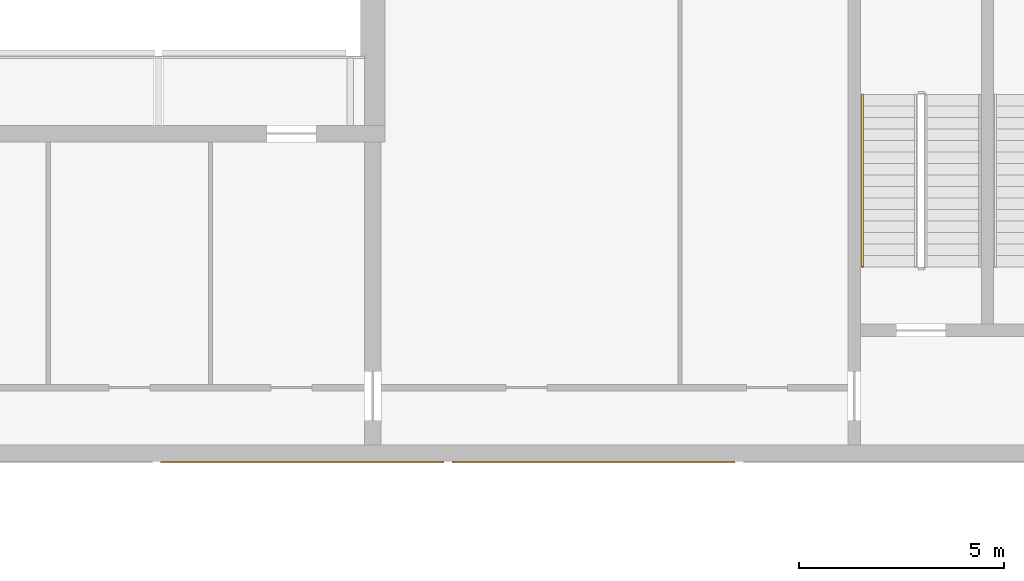
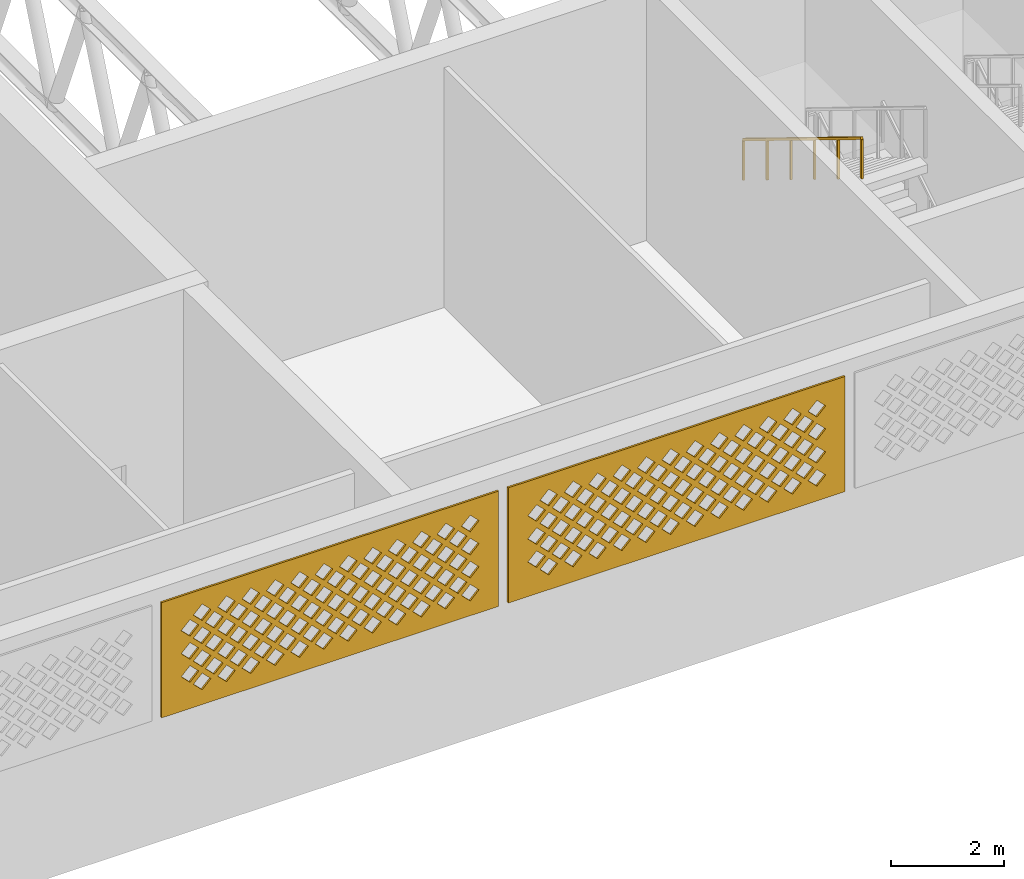
# One storey, part 26 of 69: 2 coverings, 1 railing.
"""IFC4 building model written with IfcOpenShell, lengths in metres."""

from ifc_helpers import new_model, si_unit, direction, frame, origin, origin_2d, place, context, subcontext, project, spatial, polyline, rectangle, outline, extrude, material, layer, layer_set, type_object, element, save


model = new_model("IFC4")

# Units and contexts
model_context = context("Model", 3, precision=1e-05, world=origin(), true_north=direction((0.0, 1.0)))
body_context = subcontext(model_context, "Body", "Model", "MODEL_VIEW")
ifc_project = project(units=[si_unit("LENGTHUNIT", "METRE"), si_unit("AREAUNIT", "SQUARE_METRE"), si_unit("VOLUMEUNIT", "CUBIC_METRE"), si_unit("PLANEANGLEUNIT", "RADIAN"), si_unit("MASSUNIT", "GRAM", prefix="KILO")], contexts=[model_context])

# Site, building, storey
site_placement = place(None, origin())
site = spatial("IfcSite", under=ifc_project, at=site_placement, CompositionType="ELEMENT")
building_placement = place(site_placement, origin())
building = spatial("IfcBuilding", under=site, at=building_placement, Name="Noorbagh Ring Tower", CompositionType="ELEMENT")
storey_placement = place(building_placement, frame((0.0, 0.0, 19.5)))
storey = spatial("IfcBuildingStorey", under=building, at=storey_placement, Name="L03", CompositionType="ELEMENT", Elevation=19.5)

# Coverings
ifc_material_1 = material(Name="Red sandstone jali", Category="masonry")
ifc_layer = layer(ifc_material_1, 0.0400390625)
ifc_layer_set = layer_set([ifc_layer], Name="Red sandstone jali")
covering_type = type_object("IfcCoveringType", Name="STH-BAND", PredefinedType="USERDEFINED", material=ifc_layer_set)
covering_1_placement = place(storey_placement, frame((-145.177734375, -21.0400390625, 2.699951171875), z_axis=(0.0, -1.0, 0.0), x_axis=(1.0, 0.0, 0.0)))
element("IfcCovering", 1, at=covering_1_placement, inside=storey, type_object=covering_type, Name="Jali band", ObjectType="JALI SCREEN", PredefinedType="USERDEFINED", context=body_context, shape_type="SweptSolid", body=[
    extrude(outline(polyline([(0.0, 0.0), (6.9111328125, 0.0), (6.9111328125, 2.5), (0.0, 2.5), (0.0, 0.0)]), holes=[polyline([(0.650634765625, 0.5), (0.83056640625, 0.320068359375), (1.010498046875, 0.5), (0.83056640625, 0.679931640625), (0.650634765625, 0.5)]), polyline([(1.150634765625, 0.5), (1.33056640625, 0.320068359375), (1.510498046875, 0.5), (1.33056640625, 0.679931640625), (1.150634765625, 0.5)]), polyline([(1.650634765625, 0.5), (1.83056640625, 0.320068359375), (2.010498046875, 0.5), (1.83056640625, 0.679931640625), (1.650634765625, 0.5)]), polyline([(2.150634765625, 0.5), (2.33056640625, 0.320068359375), (2.510498046875, 0.5), (2.33056640625, 0.679931640625), (2.150634765625, 0.5)]), polyline([(2.650634765625, 0.5), (2.83056640625, 0.320068359375), (3.010498046875, 0.5), (2.83056640625, 0.679931640625), (2.650634765625, 0.5)]), polyline([(3.150634765625, 0.5), (3.33056640625, 0.320068359375), (3.510498046875, 0.5), (3.33056640625, 0.679931640625), (3.150634765625, 0.5)]), polyline([(3.650634765625, 0.5), (3.83056640625, 0.320068359375), (4.010498046875, 0.5), (3.83056640625, 0.679931640625), (3.650634765625, 0.5)]), polyline([(4.150634765625, 0.5), (4.33056640625, 0.320068359375), (4.510498046875, 0.5), (4.33056640625, 0.679931640625), (4.150634765625, 0.5)]), polyline([(4.650634765625, 0.5), (4.83056640625, 0.320068359375), (5.010498046875, 0.5), (4.83056640625, 0.679931640625), (4.650634765625, 0.5)]), polyline([(5.150634765625, 0.5), (5.33056640625, 0.320068359375), (5.510498046875, 0.5), (5.33056640625, 0.679931640625), (5.150634765625, 0.5)]), polyline([(5.650634765625, 0.5), (5.83056640625, 0.320068359375), (6.010498046875, 0.5), (5.83056640625, 0.679931640625), (5.650634765625, 0.5)]), polyline([(6.150634765625, 0.5), (6.33056640625, 0.320068359375), (6.510498046875, 0.5), (6.33056640625, 0.679931640625), (6.150634765625, 0.5)]), polyline([(0.400634765625, 0.75), (0.58056640625, 0.570068359375), (0.760498046875, 0.75), (0.58056640625, 0.929931640625), (0.400634765625, 0.75)]), polyline([(0.900634765625, 0.75), (1.08056640625, 0.570068359375), (1.260498046875, 0.75), (1.08056640625, 0.929931640625), (0.900634765625, 0.75)]), polyline([(1.400634765625, 0.75), (1.58056640625, 0.570068359375), (1.760498046875, 0.75), (1.58056640625, 0.929931640625), (1.400634765625, 0.75)]), polyline([(1.900634765625, 0.75), (2.08056640625, 0.570068359375), (2.260498046875, 0.75), (2.08056640625, 0.929931640625), (1.900634765625, 0.75)]), polyline([(2.400634765625, 0.75), (2.58056640625, 0.570068359375), (2.760498046875, 0.75), (2.58056640625, 0.929931640625), (2.400634765625, 0.75)]), polyline([(2.900634765625, 0.75), (3.08056640625, 0.570068359375), (3.260498046875, 0.75), (3.08056640625, 0.929931640625), (2.900634765625, 0.75)]), polyline([(3.400634765625, 0.75), (3.58056640625, 0.570068359375), (3.760498046875, 0.75), (3.58056640625, 0.929931640625), (3.400634765625, 0.75)]), polyline([(3.900634765625, 0.75), (4.08056640625, 0.570068359375), (4.260498046875, 0.75), (4.08056640625, 0.929931640625), (3.900634765625, 0.75)]), polyline([(4.400634765625, 0.75), (4.58056640625, 0.570068359375), (4.760498046875, 0.75), (4.58056640625, 0.929931640625), (4.400634765625, 0.75)]), polyline([(4.900634765625, 0.75), (5.08056640625, 0.570068359375), (5.260498046875, 0.75), (5.08056640625, 0.929931640625), (4.900634765625, 0.75)]), polyline([(5.400634765625, 0.75), (5.58056640625, 0.570068359375), (5.760498046875, 0.75), (5.58056640625, 0.929931640625), (5.400634765625, 0.75)]), polyline([(5.900634765625, 0.75), (6.08056640625, 0.570068359375), (6.260498046875, 0.75), (6.08056640625, 0.929931640625), (5.900634765625, 0.75)]), polyline([(0.650634765625, 1.0), (0.83056640625, 0.820068359375), (1.010498046875, 1.0), (0.83056640625, 1.179931640625), (0.650634765625, 1.0)]), polyline([(1.150634765625, 1.0), (1.33056640625, 0.820068359375), (1.510498046875, 1.0), (1.33056640625, 1.179931640625), (1.150634765625, 1.0)]), polyline([(1.650634765625, 1.0), (1.83056640625, 0.820068359375), (2.010498046875, 1.0), (1.83056640625, 1.179931640625), (1.650634765625, 1.0)]), polyline([(2.150634765625, 1.0), (2.33056640625, 0.820068359375), (2.510498046875, 1.0), (2.33056640625, 1.179931640625), (2.150634765625, 1.0)]), polyline([(2.650634765625, 1.0), (2.83056640625, 0.820068359375), (3.010498046875, 1.0), (2.83056640625, 1.179931640625), (2.650634765625, 1.0)]), polyline([(3.150634765625, 1.0), (3.33056640625, 0.820068359375), (3.510498046875, 1.0), (3.33056640625, 1.179931640625), (3.150634765625, 1.0)]), polyline([(3.650634765625, 1.0), (3.83056640625, 0.820068359375), (4.010498046875, 1.0), (3.83056640625, 1.179931640625), (3.650634765625, 1.0)]), polyline([(4.150634765625, 1.0), (4.33056640625, 0.820068359375), (4.510498046875, 1.0), (4.33056640625, 1.179931640625), (4.150634765625, 1.0)]), polyline([(4.650634765625, 1.0), (4.83056640625, 0.820068359375), (5.010498046875, 1.0), (4.83056640625, 1.179931640625), (4.650634765625, 1.0)]), polyline([(5.150634765625, 1.0), (5.33056640625, 0.820068359375), (5.510498046875, 1.0), (5.33056640625, 1.179931640625), (5.150634765625, 1.0)]), polyline([(5.650634765625, 1.0), (5.83056640625, 0.820068359375), (6.010498046875, 1.0), (5.83056640625, 1.179931640625), (5.650634765625, 1.0)]), polyline([(6.150634765625, 1.0), (6.33056640625, 0.820068359375), (6.510498046875, 1.0), (6.33056640625, 1.179931640625), (6.150634765625, 1.0)]), polyline([(0.400634765625, 1.25), (0.58056640625, 1.070068359375), (0.760498046875, 1.25), (0.58056640625, 1.429931640625), (0.400634765625, 1.25)]), polyline([(0.900634765625, 1.25), (1.08056640625, 1.070068359375), (1.260498046875, 1.25), (1.08056640625, 1.429931640625), (0.900634765625, 1.25)]), polyline([(1.400634765625, 1.25), (1.58056640625, 1.070068359375), (1.760498046875, 1.25), (1.58056640625, 1.429931640625), (1.400634765625, 1.25)]), polyline([(1.900634765625, 1.25), (2.08056640625, 1.070068359375), (2.260498046875, 1.25), (2.08056640625, 1.429931640625), (1.900634765625, 1.25)]), polyline([(2.400634765625, 1.25), (2.58056640625, 1.070068359375), (2.760498046875, 1.25), (2.58056640625, 1.429931640625), (2.400634765625, 1.25)]), polyline([(2.900634765625, 1.25), (3.08056640625, 1.070068359375), (3.260498046875, 1.25), (3.08056640625, 1.429931640625), (2.900634765625, 1.25)]), polyline([(3.400634765625, 1.25), (3.58056640625, 1.070068359375), (3.760498046875, 1.25), (3.58056640625, 1.429931640625), (3.400634765625, 1.25)]), polyline([(3.900634765625, 1.25), (4.08056640625, 1.070068359375), (4.260498046875, 1.25), (4.08056640625, 1.429931640625), (3.900634765625, 1.25)]), polyline([(4.400634765625, 1.25), (4.58056640625, 1.070068359375), (4.760498046875, 1.25), (4.58056640625, 1.429931640625), (4.400634765625, 1.25)]), polyline([(4.900634765625, 1.25), (5.08056640625, 1.070068359375), (5.260498046875, 1.25), (5.08056640625, 1.429931640625), (4.900634765625, 1.25)]), polyline([(5.400634765625, 1.25), (5.58056640625, 1.070068359375), (5.760498046875, 1.25), (5.58056640625, 1.429931640625), (5.400634765625, 1.25)]), polyline([(5.900634765625, 1.25), (6.08056640625, 1.070068359375), (6.260498046875, 1.25), (6.08056640625, 1.429931640625), (5.900634765625, 1.25)]), polyline([(0.650634765625, 1.5), (0.83056640625, 1.320068359375), (1.010498046875, 1.5), (0.83056640625, 1.679931640625), (0.650634765625, 1.5)]), polyline([(1.150634765625, 1.5), (1.33056640625, 1.320068359375), (1.510498046875, 1.5), (1.33056640625, 1.679931640625), (1.150634765625, 1.5)]), polyline([(1.650634765625, 1.5), (1.83056640625, 1.320068359375), (2.010498046875, 1.5), (1.83056640625, 1.679931640625), (1.650634765625, 1.5)]), polyline([(2.150634765625, 1.5), (2.33056640625, 1.320068359375), (2.510498046875, 1.5), (2.33056640625, 1.679931640625), (2.150634765625, 1.5)]), polyline([(2.650634765625, 1.5), (2.83056640625, 1.320068359375), (3.010498046875, 1.5), (2.83056640625, 1.679931640625), (2.650634765625, 1.5)]), polyline([(3.150634765625, 1.5), (3.33056640625, 1.320068359375), (3.510498046875, 1.5), (3.33056640625, 1.679931640625), (3.150634765625, 1.5)]), polyline([(3.650634765625, 1.5), (3.83056640625, 1.320068359375), (4.010498046875, 1.5), (3.83056640625, 1.679931640625), (3.650634765625, 1.5)]), polyline([(4.150634765625, 1.5), (4.33056640625, 1.320068359375), (4.510498046875, 1.5), (4.33056640625, 1.679931640625), (4.150634765625, 1.5)]), polyline([(4.650634765625, 1.5), (4.83056640625, 1.320068359375), (5.010498046875, 1.5), (4.83056640625, 1.679931640625), (4.650634765625, 1.5)]), polyline([(5.150634765625, 1.5), (5.33056640625, 1.320068359375), (5.510498046875, 1.5), (5.33056640625, 1.679931640625), (5.150634765625, 1.5)]), polyline([(5.650634765625, 1.5), (5.83056640625, 1.320068359375), (6.010498046875, 1.5), (5.83056640625, 1.679931640625), (5.650634765625, 1.5)]), polyline([(6.150634765625, 1.5), (6.33056640625, 1.320068359375), (6.510498046875, 1.5), (6.33056640625, 1.679931640625), (6.150634765625, 1.5)]), polyline([(0.400634765625, 1.75), (0.58056640625, 1.570068359375), (0.760498046875, 1.75), (0.58056640625, 1.929931640625), (0.400634765625, 1.75)]), polyline([(0.900634765625, 1.75), (1.08056640625, 1.570068359375), (1.260498046875, 1.75), (1.08056640625, 1.929931640625), (0.900634765625, 1.75)]), polyline([(1.400634765625, 1.75), (1.58056640625, 1.570068359375), (1.760498046875, 1.75), (1.58056640625, 1.929931640625), (1.400634765625, 1.75)]), polyline([(1.900634765625, 1.75), (2.08056640625, 1.570068359375), (2.260498046875, 1.75), (2.08056640625, 1.929931640625), (1.900634765625, 1.75)]), polyline([(2.400634765625, 1.75), (2.58056640625, 1.570068359375), (2.760498046875, 1.75), (2.58056640625, 1.929931640625), (2.400634765625, 1.75)]), polyline([(2.900634765625, 1.75), (3.08056640625, 1.570068359375), (3.260498046875, 1.75), (3.08056640625, 1.929931640625), (2.900634765625, 1.75)]), polyline([(3.400634765625, 1.75), (3.58056640625, 1.570068359375), (3.760498046875, 1.75), (3.58056640625, 1.929931640625), (3.400634765625, 1.75)]), polyline([(3.900634765625, 1.75), (4.08056640625, 1.570068359375), (4.260498046875, 1.75), (4.08056640625, 1.929931640625), (3.900634765625, 1.75)]), polyline([(4.400634765625, 1.75), (4.58056640625, 1.570068359375), (4.760498046875, 1.75), (4.58056640625, 1.929931640625), (4.400634765625, 1.75)]), polyline([(4.900634765625, 1.75), (5.08056640625, 1.570068359375), (5.260498046875, 1.75), (5.08056640625, 1.929931640625), (4.900634765625, 1.75)]), polyline([(5.400634765625, 1.75), (5.58056640625, 1.570068359375), (5.760498046875, 1.75), (5.58056640625, 1.929931640625), (5.400634765625, 1.75)]), polyline([(5.900634765625, 1.75), (6.08056640625, 1.570068359375), (6.260498046875, 1.75), (6.08056640625, 1.929931640625), (5.900634765625, 1.75)]), polyline([(0.650634765625, 2.0), (0.83056640625, 1.820068359375), (1.010498046875, 2.0), (0.83056640625, 2.179931640625), (0.650634765625, 2.0)]), polyline([(1.150634765625, 2.0), (1.33056640625, 1.820068359375), (1.510498046875, 2.0), (1.33056640625, 2.179931640625), (1.150634765625, 2.0)]), polyline([(1.650634765625, 2.0), (1.83056640625, 1.820068359375), (2.010498046875, 2.0), (1.83056640625, 2.179931640625), (1.650634765625, 2.0)]), polyline([(2.150634765625, 2.0), (2.33056640625, 1.820068359375), (2.510498046875, 2.0), (2.33056640625, 2.179931640625), (2.150634765625, 2.0)]), polyline([(2.650634765625, 2.0), (2.83056640625, 1.820068359375), (3.010498046875, 2.0), (2.83056640625, 2.179931640625), (2.650634765625, 2.0)]), polyline([(3.150634765625, 2.0), (3.33056640625, 1.820068359375), (3.510498046875, 2.0), (3.33056640625, 2.179931640625), (3.150634765625, 2.0)]), polyline([(3.650634765625, 2.0), (3.83056640625, 1.820068359375), (4.010498046875, 2.0), (3.83056640625, 2.179931640625), (3.650634765625, 2.0)]), polyline([(4.150634765625, 2.0), (4.33056640625, 1.820068359375), (4.510498046875, 2.0), (4.33056640625, 2.179931640625), (4.150634765625, 2.0)]), polyline([(4.650634765625, 2.0), (4.83056640625, 1.820068359375), (5.010498046875, 2.0), (4.83056640625, 2.179931640625), (4.650634765625, 2.0)]), polyline([(5.150634765625, 2.0), (5.33056640625, 1.820068359375), (5.510498046875, 2.0), (5.33056640625, 2.179931640625), (5.150634765625, 2.0)]), polyline([(5.650634765625, 2.0), (5.83056640625, 1.820068359375), (6.010498046875, 2.0), (5.83056640625, 2.179931640625), (5.650634765625, 2.0)]), polyline([(6.150634765625, 2.0), (6.33056640625, 1.820068359375), (6.510498046875, 2.0), (6.33056640625, 2.179931640625), (6.150634765625, 2.0)])]), origin(), (0.0, 0.0, -1.0), 0.0400390625),
])
covering_2_placement = place(storey_placement, frame((-138.066650390625, -21.0400390625, 2.699951171875), z_axis=(0.0, -1.0, 0.0), x_axis=(1.0, 0.0, 0.0)))
element("IfcCovering", 2, at=covering_2_placement, inside=storey, type_object=covering_type, Name="Jali band", ObjectType="JALI SCREEN", PredefinedType="USERDEFINED", context=body_context, shape_type="SweptSolid", body=[
    extrude(outline(polyline([(0.0, 0.0), (6.9111328125, 0.0), (6.9111328125, 2.5), (0.0, 2.5), (0.0, 0.0)]), holes=[polyline([(0.650634765625, 0.5), (0.83056640625, 0.320068359375), (1.010498046875, 0.5), (0.83056640625, 0.679931640625), (0.650634765625, 0.5)]), polyline([(1.150634765625, 0.5), (1.33056640625, 0.320068359375), (1.510498046875, 0.5), (1.33056640625, 0.679931640625), (1.150634765625, 0.5)]), polyline([(1.650634765625, 0.5), (1.83056640625, 0.320068359375), (2.010498046875, 0.5), (1.83056640625, 0.679931640625), (1.650634765625, 0.5)]), polyline([(2.150634765625, 0.5), (2.33056640625, 0.320068359375), (2.510498046875, 0.5), (2.33056640625, 0.679931640625), (2.150634765625, 0.5)]), polyline([(2.650634765625, 0.5), (2.83056640625, 0.320068359375), (3.010498046875, 0.5), (2.83056640625, 0.679931640625), (2.650634765625, 0.5)]), polyline([(3.150634765625, 0.5), (3.33056640625, 0.320068359375), (3.510498046875, 0.5), (3.33056640625, 0.679931640625), (3.150634765625, 0.5)]), polyline([(3.650634765625, 0.5), (3.83056640625, 0.320068359375), (4.010498046875, 0.5), (3.83056640625, 0.679931640625), (3.650634765625, 0.5)]), polyline([(4.150634765625, 0.5), (4.33056640625, 0.320068359375), (4.510498046875, 0.5), (4.33056640625, 0.679931640625), (4.150634765625, 0.5)]), polyline([(4.650634765625, 0.5), (4.83056640625, 0.320068359375), (5.010498046875, 0.5), (4.83056640625, 0.679931640625), (4.650634765625, 0.5)]), polyline([(5.150634765625, 0.5), (5.33056640625, 0.320068359375), (5.510498046875, 0.5), (5.33056640625, 0.679931640625), (5.150634765625, 0.5)]), polyline([(5.650634765625, 0.5), (5.83056640625, 0.320068359375), (6.010498046875, 0.5), (5.83056640625, 0.679931640625), (5.650634765625, 0.5)]), polyline([(6.150634765625, 0.5), (6.33056640625, 0.320068359375), (6.510498046875, 0.5), (6.33056640625, 0.679931640625), (6.150634765625, 0.5)]), polyline([(0.400634765625, 0.75), (0.58056640625, 0.570068359375), (0.760498046875, 0.75), (0.58056640625, 0.929931640625), (0.400634765625, 0.75)]), polyline([(0.900634765625, 0.75), (1.08056640625, 0.570068359375), (1.260498046875, 0.75), (1.08056640625, 0.929931640625), (0.900634765625, 0.75)]), polyline([(1.400634765625, 0.75), (1.58056640625, 0.570068359375), (1.760498046875, 0.75), (1.58056640625, 0.929931640625), (1.400634765625, 0.75)]), polyline([(1.900634765625, 0.75), (2.08056640625, 0.570068359375), (2.260498046875, 0.75), (2.08056640625, 0.929931640625), (1.900634765625, 0.75)]), polyline([(2.400634765625, 0.75), (2.58056640625, 0.570068359375), (2.760498046875, 0.75), (2.58056640625, 0.929931640625), (2.400634765625, 0.75)]), polyline([(2.900634765625, 0.75), (3.08056640625, 0.570068359375), (3.260498046875, 0.75), (3.08056640625, 0.929931640625), (2.900634765625, 0.75)]), polyline([(3.400634765625, 0.75), (3.58056640625, 0.570068359375), (3.760498046875, 0.75), (3.58056640625, 0.929931640625), (3.400634765625, 0.75)]), polyline([(3.900634765625, 0.75), (4.08056640625, 0.570068359375), (4.260498046875, 0.75), (4.08056640625, 0.929931640625), (3.900634765625, 0.75)]), polyline([(4.400634765625, 0.75), (4.58056640625, 0.570068359375), (4.760498046875, 0.75), (4.58056640625, 0.929931640625), (4.400634765625, 0.75)]), polyline([(4.900634765625, 0.75), (5.08056640625, 0.570068359375), (5.260498046875, 0.75), (5.08056640625, 0.929931640625), (4.900634765625, 0.75)]), polyline([(5.400634765625, 0.75), (5.58056640625, 0.570068359375), (5.760498046875, 0.75), (5.58056640625, 0.929931640625), (5.400634765625, 0.75)]), polyline([(5.900634765625, 0.75), (6.08056640625, 0.570068359375), (6.260498046875, 0.75), (6.08056640625, 0.929931640625), (5.900634765625, 0.75)]), polyline([(0.650634765625, 1.0), (0.83056640625, 0.820068359375), (1.010498046875, 1.0), (0.83056640625, 1.179931640625), (0.650634765625, 1.0)]), polyline([(1.150634765625, 1.0), (1.33056640625, 0.820068359375), (1.510498046875, 1.0), (1.33056640625, 1.179931640625), (1.150634765625, 1.0)]), polyline([(1.650634765625, 1.0), (1.83056640625, 0.820068359375), (2.010498046875, 1.0), (1.83056640625, 1.179931640625), (1.650634765625, 1.0)]), polyline([(2.150634765625, 1.0), (2.33056640625, 0.820068359375), (2.510498046875, 1.0), (2.33056640625, 1.179931640625), (2.150634765625, 1.0)]), polyline([(2.650634765625, 1.0), (2.83056640625, 0.820068359375), (3.010498046875, 1.0), (2.83056640625, 1.179931640625), (2.650634765625, 1.0)]), polyline([(3.150634765625, 1.0), (3.33056640625, 0.820068359375), (3.510498046875, 1.0), (3.33056640625, 1.179931640625), (3.150634765625, 1.0)]), polyline([(3.650634765625, 1.0), (3.83056640625, 0.820068359375), (4.010498046875, 1.0), (3.83056640625, 1.179931640625), (3.650634765625, 1.0)]), polyline([(4.150634765625, 1.0), (4.33056640625, 0.820068359375), (4.510498046875, 1.0), (4.33056640625, 1.179931640625), (4.150634765625, 1.0)]), polyline([(4.650634765625, 1.0), (4.83056640625, 0.820068359375), (5.010498046875, 1.0), (4.83056640625, 1.179931640625), (4.650634765625, 1.0)]), polyline([(5.150634765625, 1.0), (5.33056640625, 0.820068359375), (5.510498046875, 1.0), (5.33056640625, 1.179931640625), (5.150634765625, 1.0)]), polyline([(5.650634765625, 1.0), (5.83056640625, 0.820068359375), (6.010498046875, 1.0), (5.83056640625, 1.179931640625), (5.650634765625, 1.0)]), polyline([(6.150634765625, 1.0), (6.33056640625, 0.820068359375), (6.510498046875, 1.0), (6.33056640625, 1.179931640625), (6.150634765625, 1.0)]), polyline([(0.400634765625, 1.25), (0.58056640625, 1.070068359375), (0.760498046875, 1.25), (0.58056640625, 1.429931640625), (0.400634765625, 1.25)]), polyline([(0.900634765625, 1.25), (1.08056640625, 1.070068359375), (1.260498046875, 1.25), (1.08056640625, 1.429931640625), (0.900634765625, 1.25)]), polyline([(1.400634765625, 1.25), (1.58056640625, 1.070068359375), (1.760498046875, 1.25), (1.58056640625, 1.429931640625), (1.400634765625, 1.25)]), polyline([(1.900634765625, 1.25), (2.08056640625, 1.070068359375), (2.260498046875, 1.25), (2.08056640625, 1.429931640625), (1.900634765625, 1.25)]), polyline([(2.400634765625, 1.25), (2.58056640625, 1.070068359375), (2.760498046875, 1.25), (2.58056640625, 1.429931640625), (2.400634765625, 1.25)]), polyline([(2.900634765625, 1.25), (3.08056640625, 1.070068359375), (3.260498046875, 1.25), (3.08056640625, 1.429931640625), (2.900634765625, 1.25)]), polyline([(3.400634765625, 1.25), (3.58056640625, 1.070068359375), (3.760498046875, 1.25), (3.58056640625, 1.429931640625), (3.400634765625, 1.25)]), polyline([(3.900634765625, 1.25), (4.08056640625, 1.070068359375), (4.260498046875, 1.25), (4.08056640625, 1.429931640625), (3.900634765625, 1.25)]), polyline([(4.400634765625, 1.25), (4.58056640625, 1.070068359375), (4.760498046875, 1.25), (4.58056640625, 1.429931640625), (4.400634765625, 1.25)]), polyline([(4.900634765625, 1.25), (5.08056640625, 1.070068359375), (5.260498046875, 1.25), (5.08056640625, 1.429931640625), (4.900634765625, 1.25)]), polyline([(5.400634765625, 1.25), (5.58056640625, 1.070068359375), (5.760498046875, 1.25), (5.58056640625, 1.429931640625), (5.400634765625, 1.25)]), polyline([(5.900634765625, 1.25), (6.08056640625, 1.070068359375), (6.260498046875, 1.25), (6.08056640625, 1.429931640625), (5.900634765625, 1.25)]), polyline([(0.650634765625, 1.5), (0.83056640625, 1.320068359375), (1.010498046875, 1.5), (0.83056640625, 1.679931640625), (0.650634765625, 1.5)]), polyline([(1.150634765625, 1.5), (1.33056640625, 1.320068359375), (1.510498046875, 1.5), (1.33056640625, 1.679931640625), (1.150634765625, 1.5)]), polyline([(1.650634765625, 1.5), (1.83056640625, 1.320068359375), (2.010498046875, 1.5), (1.83056640625, 1.679931640625), (1.650634765625, 1.5)]), polyline([(2.150634765625, 1.5), (2.33056640625, 1.320068359375), (2.510498046875, 1.5), (2.33056640625, 1.679931640625), (2.150634765625, 1.5)]), polyline([(2.650634765625, 1.5), (2.83056640625, 1.320068359375), (3.010498046875, 1.5), (2.83056640625, 1.679931640625), (2.650634765625, 1.5)]), polyline([(3.150634765625, 1.5), (3.33056640625, 1.320068359375), (3.510498046875, 1.5), (3.33056640625, 1.679931640625), (3.150634765625, 1.5)]), polyline([(3.650634765625, 1.5), (3.83056640625, 1.320068359375), (4.010498046875, 1.5), (3.83056640625, 1.679931640625), (3.650634765625, 1.5)]), polyline([(4.150634765625, 1.5), (4.33056640625, 1.320068359375), (4.510498046875, 1.5), (4.33056640625, 1.679931640625), (4.150634765625, 1.5)]), polyline([(4.650634765625, 1.5), (4.83056640625, 1.320068359375), (5.010498046875, 1.5), (4.83056640625, 1.679931640625), (4.650634765625, 1.5)]), polyline([(5.150634765625, 1.5), (5.33056640625, 1.320068359375), (5.510498046875, 1.5), (5.33056640625, 1.679931640625), (5.150634765625, 1.5)]), polyline([(5.650634765625, 1.5), (5.83056640625, 1.320068359375), (6.010498046875, 1.5), (5.83056640625, 1.679931640625), (5.650634765625, 1.5)]), polyline([(6.150634765625, 1.5), (6.33056640625, 1.320068359375), (6.510498046875, 1.5), (6.33056640625, 1.679931640625), (6.150634765625, 1.5)]), polyline([(0.400634765625, 1.75), (0.58056640625, 1.570068359375), (0.760498046875, 1.75), (0.58056640625, 1.929931640625), (0.400634765625, 1.75)]), polyline([(0.900634765625, 1.75), (1.08056640625, 1.570068359375), (1.260498046875, 1.75), (1.08056640625, 1.929931640625), (0.900634765625, 1.75)]), polyline([(1.400634765625, 1.75), (1.58056640625, 1.570068359375), (1.760498046875, 1.75), (1.58056640625, 1.929931640625), (1.400634765625, 1.75)]), polyline([(1.900634765625, 1.75), (2.08056640625, 1.570068359375), (2.260498046875, 1.75), (2.08056640625, 1.929931640625), (1.900634765625, 1.75)]), polyline([(2.400634765625, 1.75), (2.58056640625, 1.570068359375), (2.760498046875, 1.75), (2.58056640625, 1.929931640625), (2.400634765625, 1.75)]), polyline([(2.900634765625, 1.75), (3.08056640625, 1.570068359375), (3.260498046875, 1.75), (3.08056640625, 1.929931640625), (2.900634765625, 1.75)]), polyline([(3.400634765625, 1.75), (3.58056640625, 1.570068359375), (3.760498046875, 1.75), (3.58056640625, 1.929931640625), (3.400634765625, 1.75)]), polyline([(3.900634765625, 1.75), (4.08056640625, 1.570068359375), (4.260498046875, 1.75), (4.08056640625, 1.929931640625), (3.900634765625, 1.75)]), polyline([(4.400634765625, 1.75), (4.58056640625, 1.570068359375), (4.760498046875, 1.75), (4.58056640625, 1.929931640625), (4.400634765625, 1.75)]), polyline([(4.900634765625, 1.75), (5.08056640625, 1.570068359375), (5.260498046875, 1.75), (5.08056640625, 1.929931640625), (4.900634765625, 1.75)]), polyline([(5.400634765625, 1.75), (5.58056640625, 1.570068359375), (5.760498046875, 1.75), (5.58056640625, 1.929931640625), (5.400634765625, 1.75)]), polyline([(5.900634765625, 1.75), (6.08056640625, 1.570068359375), (6.260498046875, 1.75), (6.08056640625, 1.929931640625), (5.900634765625, 1.75)]), polyline([(0.650634765625, 2.0), (0.83056640625, 1.820068359375), (1.010498046875, 2.0), (0.83056640625, 2.179931640625), (0.650634765625, 2.0)]), polyline([(1.150634765625, 2.0), (1.33056640625, 1.820068359375), (1.510498046875, 2.0), (1.33056640625, 2.179931640625), (1.150634765625, 2.0)]), polyline([(1.650634765625, 2.0), (1.83056640625, 1.820068359375), (2.010498046875, 2.0), (1.83056640625, 2.179931640625), (1.650634765625, 2.0)]), polyline([(2.150634765625, 2.0), (2.33056640625, 1.820068359375), (2.510498046875, 2.0), (2.33056640625, 2.179931640625), (2.150634765625, 2.0)]), polyline([(2.650634765625, 2.0), (2.83056640625, 1.820068359375), (3.010498046875, 2.0), (2.83056640625, 2.179931640625), (2.650634765625, 2.0)]), polyline([(3.150634765625, 2.0), (3.33056640625, 1.820068359375), (3.510498046875, 2.0), (3.33056640625, 2.179931640625), (3.150634765625, 2.0)]), polyline([(3.650634765625, 2.0), (3.83056640625, 1.820068359375), (4.010498046875, 2.0), (3.83056640625, 2.179931640625), (3.650634765625, 2.0)]), polyline([(4.150634765625, 2.0), (4.33056640625, 1.820068359375), (4.510498046875, 2.0), (4.33056640625, 2.179931640625), (4.150634765625, 2.0)]), polyline([(4.650634765625, 2.0), (4.83056640625, 1.820068359375), (5.010498046875, 2.0), (4.83056640625, 2.179931640625), (4.650634765625, 2.0)]), polyline([(5.150634765625, 2.0), (5.33056640625, 1.820068359375), (5.510498046875, 2.0), (5.33056640625, 2.179931640625), (5.150634765625, 2.0)]), polyline([(5.650634765625, 2.0), (5.83056640625, 1.820068359375), (6.010498046875, 2.0), (5.83056640625, 2.179931640625), (5.650634765625, 2.0)]), polyline([(6.150634765625, 2.0), (6.33056640625, 1.820068359375), (6.510498046875, 2.0), (6.33056640625, 2.179931640625), (6.150634765625, 2.0)])]), origin(), (0.0, 0.0, -1.0), 0.0400390625),
])

# Railing
ifc_material_2 = material(Name="Stainless steel", Category="steel")
railing_type = type_object("IfcRailingType", Name="TH-STAIR-HANDRAIL", PredefinedType="HANDRAIL", material=ifc_material_2)
railing_placement = place(storey_placement, frame((-128.050048828125, -12.050048828125, 2.921875)))
element("IfcRailing", 3, at=railing_placement, inside=storey, type_object=railing_type, Name="L03 TSS3 stair handrail 2", PredefinedType="HANDRAIL", context=body_context, shape_type="SweptSolid", body=[
    extrude(rectangle(XDim=0.048095703125, YDim=0.048095703125, at=origin_2d()), frame((0.0, 0.0, 0.8759765625), z_axis=(0.0, -0.852242915053, 0.523146264196), x_axis=(1.0, 0.0, 0.0)), (0.0, 0.0, 1.0), 4.92822265625),
    extrude(rectangle(XDim=0.0419921875, YDim=0.0419921875, at=origin_2d()), origin(), (0.0, 0.0, 1.0), 0.851806640625),
    extrude(rectangle(XDim=0.0419921875, YDim=0.0419921875, at=origin_2d()), frame((0.0, -0.840087890625, 0.515625)), (0.0, 0.0, 1.0), 0.851806640625),
    extrude(rectangle(XDim=0.0419921875, YDim=0.0419921875, at=origin_2d()), frame((0.0, -1.679931640625, 1.03125)), (0.0, 0.0, 1.0), 0.851806640625),
    extrude(rectangle(XDim=0.0419921875, YDim=0.0419921875, at=origin_2d()), frame((0.0, -2.52001953125, 1.546875)), (0.0, 0.0, 1.0), 0.851806640625),
    extrude(rectangle(XDim=0.0419921875, YDim=0.0419921875, at=origin_2d()), frame((0.0, -3.35986328125, 2.0625)), (0.0, 0.0, 1.0), 0.851806640625),
    extrude(rectangle(XDim=0.0419921875, YDim=0.0419921875, at=origin_2d()), frame((0.0, -4.199951171875, 2.578125)), (0.0, 0.0, 1.0), 0.851806640625),
])

save(model, "model.ifc")
